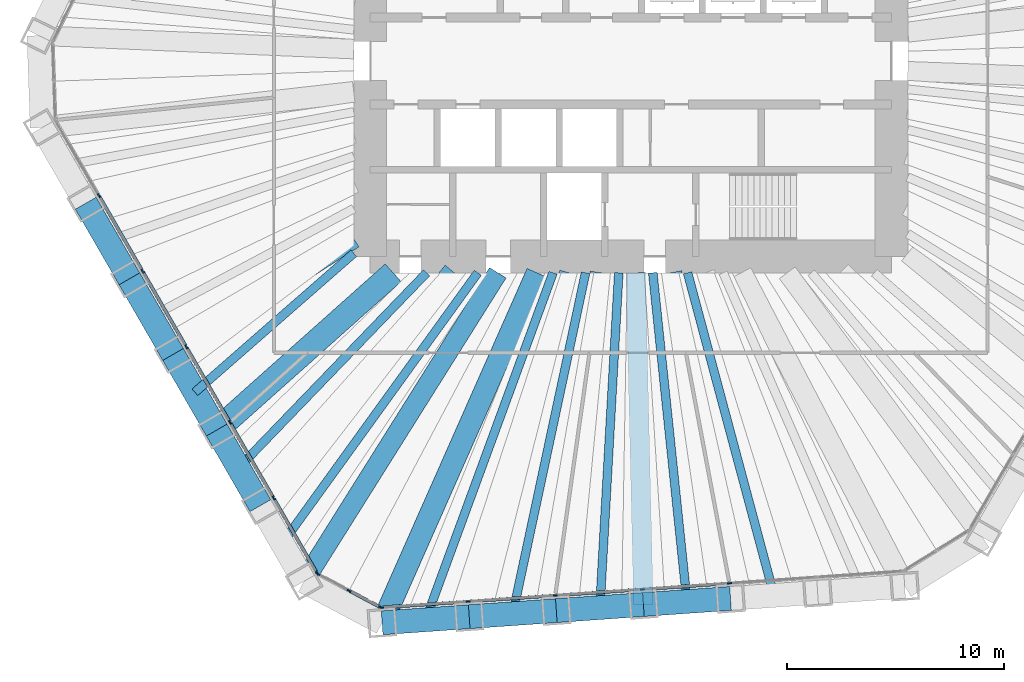
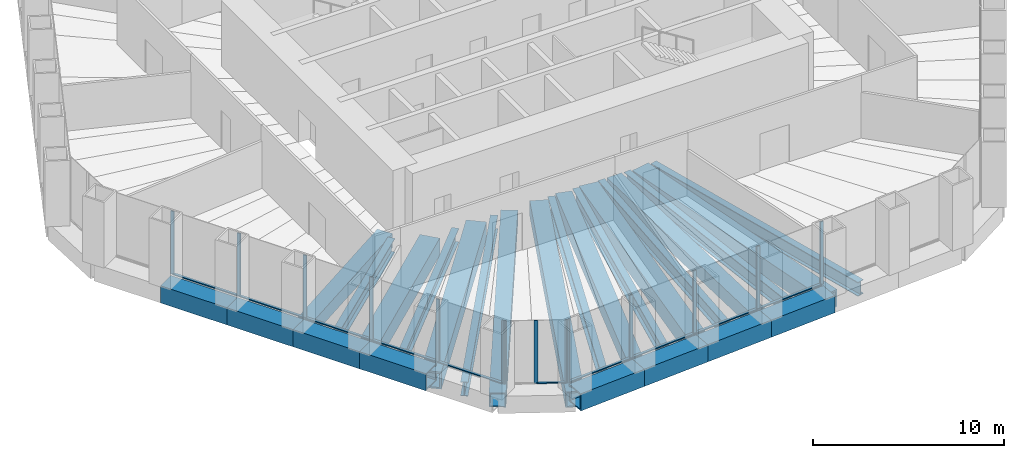
# One storey, part 2 of 20: 32 members, 17 beams, 3 elements without a shape of their own.
"""IFC4 building model written with IfcOpenShell, lengths in metres."""

from ifc_helpers import new_model, si_unit, direction, frame, origin, origin_2d, place, context, subcontext, project, spatial, rectangle, hollow_rectangle, i_section, extrude, material, material_profile, profile_set, type_object, element, aggregate, save


model = new_model("IFC4")

# Units and contexts
model_context = context("Model", 3, precision=1e-05, world=origin(), true_north=direction((0.0, 1.0)))
body_context = subcontext(model_context, "Body", "Model", "MODEL_VIEW")
ifc_project = project(units=[si_unit("LENGTHUNIT", "METRE"), si_unit("AREAUNIT", "SQUARE_METRE"), si_unit("VOLUMEUNIT", "CUBIC_METRE"), si_unit("PLANEANGLEUNIT", "RADIAN"), si_unit("MASSUNIT", "GRAM", prefix="KILO")], contexts=[model_context])

# Site, building, storey
site_placement = place(None, origin())
site = spatial("IfcSite", under=ifc_project, at=site_placement, CompositionType="ELEMENT")
building_placement = place(site_placement, origin())
building = spatial("IfcBuilding", under=site, at=building_placement, Name="Qingtian Harvest Tower", CompositionType="ELEMENT")
storey_placement = place(building_placement, frame((0.0, 0.0, 103.0)))
storey = spatial("IfcBuildingStorey", under=building, at=storey_placement, Name="L20", CompositionType="ELEMENT", Elevation=103.0)

# Members
ifc_material_1 = material(Name="Steel SM570MC", Category="steel")
ifc_material_profile_1 = material_profile(ifc_material_1, hollow_rectangle(XDim=1.10009765625, YDim=1.10009765625, WallThickness=0.080078125, at=origin_2d()), Name="BOX1100x1100x80")
ifc_profile_set_1 = profile_set([ifc_material_profile_1], Name="Steel SM570MC")
member_type_1 = type_object("IfcMemberType", Name="Belt truss chord BC1 BOX1100x1100x80", PredefinedType="CHORD", material=ifc_profile_set_1)
for number, where, z_axis, x_axis, name in (
    (1, (4.591552734375, -24.739990234375, -0.550048828125), (-0.997565479251, -0.069736035208, 0.0), (0.069736035208, -0.997565479251, 0.0), "Belt chord BC1 S2"),
    (2, (0.582275390625, -25.020263671875, -0.550048828125), (-0.997561251588, -0.069796485086, 0.0), (0.069796485086, -0.997561251588, 0.0), "Belt chord BC1 S3"),
    (3, (-3.427001953125, -25.30078125, -0.550048828125), (-0.997565479251, -0.069736035208, 0.0), (0.069736035208, -0.997565479251, 0.0), "Belt chord BC1 S4"),
    (4, (-7.436279296875, -25.5810546875, -0.550048828125), (-0.997565479251, -0.069736035208, 0.0), (0.069736035208, -0.997565479251, 0.0), "Belt chord BC1 S5"),
    (5, (-17.04931640625, -20.4697265625, -0.550048828125), (-0.499987116613, 0.866032841884, 0.0), (-0.866032841884, -0.499987116613, 0.0), "Belt chord BC1 SW1"),
    (6, (-19.058837890625, -16.989013671875, -0.550048828125), (-0.500013420409, 0.866017655369, 0.0), (-0.866017655369, -0.500013420409, 0.0), "Belt chord BC1 SW2"),
    (7, (-21.068359375, -13.508544921875, -0.550048828125), (-0.499987116613, 0.866032841884, 0.0), (-0.866032841884, -0.499987116613, 0.0), "Belt chord BC1 SW3"),
    (8, (-23.077880859375, -10.02783203125, -0.550048828125), (-0.499987116613, 0.866032841884, 0.0), (-0.866032841884, -0.499987116613, 0.0), "Belt chord BC1 SW4"),
):
    element("IfcMember", number, at=place(storey_placement, frame(where, z_axis=z_axis, x_axis=x_axis)), inside=storey, type_object=member_type_1, Name=name, PredefinedType="CHORD", context=body_context, shape_type="SweptSolid", body=[
        extrude(hollow_rectangle(XDim=1.10009765625, YDim=1.10009765625, WallThickness=0.080078125, at=origin_2d()), origin(), (0.0, 0.0, 1.0), 4.01904296875),
    ])

# Beams
ifc_material_2 = material(Name="Steel SN490B", Category="steel")
ifc_material_profile_2 = material_profile(ifc_material_2, i_section(OverallWidth=0.39990234375, OverallDepth=0.89990234375, WebThickness=0.01904296875, FlangeThickness=0.035888671875, at=origin_2d()), Name="H900x400x19x36")
ifc_profile_set_2 = profile_set([ifc_material_profile_2], Name="Steel SN490B")
beam_type_1 = type_object("IfcBeamType", Name="Floor joist J4 H900x400x19x36", PredefinedType="JOIST", material=ifc_profile_set_2)
beam_1_placement = place(storey_placement, frame((6.59619140625, -24.599853515625, -0.6201171875), z_axis=(-0.258996688759, 0.965878209306, 0.0), x_axis=(-0.965878209306, -0.258996688759, 0.0)))
element("IfcBeam", 9, at=beam_1_placement, inside=storey, type_object=beam_type_1, Name="Floor joist J4 S1", PredefinedType="JOIST", context=body_context, shape_type="SweptSolid", body=[
    extrude(i_section(OverallWidth=0.39990234375, OverallDepth=0.89990234375, WebThickness=0.01904296875, FlangeThickness=0.035888671875, at=origin_2d()), origin(), (0.0, 0.0, 1.0), 15.37451171875),
])
beam_2_placement = place(storey_placement, frame((2.5869140625, -24.880126953125, -0.6201171875), z_axis=(-0.103423163361, 0.994637446148, 0.0), x_axis=(-0.994637446148, -0.103423163361, 0.0)))
element("IfcBeam", 10, at=beam_2_placement, inside=storey, type_object=beam_type_1, Name="Floor joist J4 S2", PredefinedType="JOIST", context=body_context, shape_type="SweptSolid", body=[
    extrude(i_section(OverallWidth=0.39990234375, OverallDepth=0.89990234375, WebThickness=0.01904296875, FlangeThickness=0.035888671875, at=origin_2d()), origin(), (0.0, 0.0, 1.0), 15.211669921875),
])
beam_3_placement = place(storey_placement, frame((-1.42236328125, -25.160400390625, -0.6201171875), z_axis=(0.05643626267, 0.998406204035, 0.0), x_axis=(-0.998406204035, 0.05643626267, 0.0)))
element("IfcBeam", 11, at=beam_3_placement, inside=storey, type_object=beam_type_1, Name="Floor joist J4 S3", PredefinedType="JOIST", context=body_context, shape_type="SweptSolid", body=[
    extrude(i_section(OverallWidth=0.39990234375, OverallDepth=0.89990234375, WebThickness=0.01904296875, FlangeThickness=0.035888671875, at=origin_2d()), origin(), (0.0, 0.0, 1.0), 15.43505859375),
])
beam_4_placement = place(storey_placement, frame((-5.431640625, -25.44091796875, -0.6201171875), z_axis=(0.208799533611, 0.977958462699, 0.0), x_axis=(-0.977958462699, 0.208799533611, 0.0)))
element("IfcBeam", 12, at=beam_4_placement, inside=storey, type_object=beam_type_1, Name="Floor joist J4 S4", PredefinedType="JOIST", context=body_context, shape_type="SweptSolid", body=[
    extrude(i_section(OverallWidth=0.39990234375, OverallDepth=0.89990234375, WebThickness=0.01904296875, FlangeThickness=0.035888671875, at=origin_2d()), origin(), (0.0, 0.0, 1.0), 16.044677734375),
])
beam_5_placement = place(storey_placement, frame((-9.44091796875, -25.72119140625, -0.6201171875), z_axis=(0.344563279886, 0.938763093732, 0.0), x_axis=(-0.938763093732, 0.344563279886, 0.0)))
element("IfcBeam", 13, at=beam_5_placement, inside=storey, type_object=beam_type_1, Name="Floor joist J4 S5", PredefinedType="JOIST", context=body_context, shape_type="SweptSolid", body=[
    extrude(i_section(OverallWidth=0.39990234375, OverallDepth=0.89990234375, WebThickness=0.01904296875, FlangeThickness=0.035888671875, at=origin_2d()), origin(), (0.0, 0.0, 1.0), 17.012939453125),
])
beam_6_placement = place(storey_placement, frame((-16.04443359375, -22.2099609375, -0.6201171875), z_axis=(0.585581016658, 0.810613886465, 0.0), x_axis=(-0.810613886465, 0.585581016658, 0.0)))
element("IfcBeam", 14, at=beam_6_placement, inside=storey, type_object=beam_type_1, Name="Floor joist J4 SW0", PredefinedType="JOIST", context=body_context, shape_type="SweptSolid", body=[
    extrude(i_section(OverallWidth=0.39990234375, OverallDepth=0.89990234375, WebThickness=0.01904296875, FlangeThickness=0.035888671875, at=origin_2d()), origin(), (0.0, 0.0, 1.0), 15.37109375),
])
beam_7_placement = place(storey_placement, frame((-18.053955078125, -18.7294921875, -0.6201171875), z_axis=(0.693999346894, 0.719975629108, 0.0), x_axis=(-0.719975629108, 0.693999346894, 0.0)))
element("IfcBeam", 15, at=beam_7_placement, inside=storey, type_object=beam_type_1, Name="Floor joist J4 SW1", PredefinedType="JOIST", context=body_context, shape_type="SweptSolid", body=[
    extrude(i_section(OverallWidth=0.39990234375, OverallDepth=0.89990234375, WebThickness=0.01904296875, FlangeThickness=0.035888671875, at=origin_2d()), origin(), (0.0, 0.0, 1.0), 12.471923828125),
])
beam_8_placement = place(storey_placement, frame((-20.063720703125, -15.248779296875, -0.6201171875), z_axis=(0.752618713562, 0.658456583228, 0.0), x_axis=(-0.658456583228, 0.752618713562, 0.0)))
element("IfcBeam", 16, at=beam_8_placement, inside=storey, type_object=beam_type_1, Name="Floor joist J4 SW2", PredefinedType="JOIST", context=body_context, shape_type="SweptSolid", body=[
    extrude(i_section(OverallWidth=0.39990234375, OverallDepth=0.89990234375, WebThickness=0.01904296875, FlangeThickness=0.035888671875, at=origin_2d()), origin(), (0.0, 0.0, 1.0), 9.7177734375),
])

# Curtain wall, members
ifc_material_3 = material(Name="Bronze-anodised aluminium curtain wall", Category="aluminium")
curtain_wall_type = type_object("IfcCurtainWallType", Name="Curtain wall CW3 sky lobby", PredefinedType="USERDEFINED", material=ifc_material_3)
curtain_wall_1_placement = place(storey_placement, origin())
curtain_wall_1 = element("IfcCurtainWall", 17, at=curtain_wall_1_placement, inside=storey, type_object=curtain_wall_type, Name="Curtain wall CW3 L20 S0-5", ObjectType="RECESSED CURTAIN WALL", PredefinedType="USERDEFINED")
ifc_material_4 = material(Name="Bronze-anodised aluminium mullion", Category="aluminium")
ifc_material_profile_3 = material_profile(ifc_material_4, rectangle(XDim=0.06494140625, YDim=0.199951171875, at=origin_2d()), Name="AL 65x200")
ifc_profile_set_3 = profile_set([ifc_material_profile_3], Name="Bronze-anodised aluminium mullion")
member_type_2 = type_object("IfcMemberType", Name="Mullion CWM 65x200", PredefinedType="MULLION", material=ifc_profile_set_3)
member_1_placement = place(storey_placement, frame((4.542724609375, -24.041748046875, 0.0), z_axis=(0.0, 0.0, 1.0), x_axis=(0.069756473744, -0.99756405026, 0.0)))
member_1 = element("IfcMember", 18, at=member_1_placement, type_object=member_type_2, Name="CW3 mullion 3", PredefinedType="MULLION", context=body_context, shape_type="SweptSolid", body=[
    extrude(rectangle(XDim=0.06494140625, YDim=0.199951171875, at=origin_2d()), origin(), (0.0, 0.0, 1.0), 4.030029296875),
])
member_2_placement = place(storey_placement, frame((0.533447265625, -24.322021484375, 0.0), z_axis=(0.0, 0.0, 1.0), x_axis=(0.069756473744, -0.99756405026, 0.0)))
member_2 = element("IfcMember", 19, at=member_2_placement, type_object=member_type_2, Name="CW3 mullion 4", PredefinedType="MULLION", context=body_context, shape_type="SweptSolid", body=[
    extrude(rectangle(XDim=0.06494140625, YDim=0.199951171875, at=origin_2d()), origin(), (0.0, 0.0, 1.0), 4.030029296875),
])
member_3_placement = place(storey_placement, frame((-3.475830078125, -24.602294921875, 0.0), z_axis=(0.0, 0.0, 1.0), x_axis=(0.069756473744, -0.99756405026, 0.0)))
member_3 = element("IfcMember", 20, at=member_3_placement, type_object=member_type_2, Name="CW3 mullion 5", PredefinedType="MULLION", context=body_context, shape_type="SweptSolid", body=[
    extrude(rectangle(XDim=0.06494140625, YDim=0.199951171875, at=origin_2d()), origin(), (0.0, 0.0, 1.0), 4.030029296875),
])
member_4_placement = place(storey_placement, frame((-7.485107421875, -24.8828125, 0.0), z_axis=(0.0, 0.0, 1.0), x_axis=(0.069756473744, -0.99756405026, 0.0)))
member_4 = element("IfcMember", 21, at=member_4_placement, type_object=member_type_2, Name="CW3 mullion 6", PredefinedType="MULLION", context=body_context, shape_type="SweptSolid", body=[
    extrude(rectangle(XDim=0.06494140625, YDim=0.199951171875, at=origin_2d()), origin(), (0.0, 0.0, 1.0), 4.030029296875),
])
member_5_placement = place(storey_placement, frame((-11.4619140625, -25.160888671875, 0.0), z_axis=(0.0, 0.0, 1.0), x_axis=(0.069756473744, -0.99756405026, 0.0)))
member_5 = element("IfcMember", 22, at=member_5_placement, type_object=member_type_2, Name="CW3 mullion 7", PredefinedType="MULLION", context=body_context, shape_type="SweptSolid", body=[
    extrude(rectangle(XDim=0.06494140625, YDim=0.199951171875, at=origin_2d()), origin(), (0.0, 0.0, 1.0), 4.030029296875),
])

curtain_wall_2_placement = place(storey_placement, origin())
curtain_wall_2 = element("IfcCurtainWall", 23, at=curtain_wall_2_placement, inside=storey, type_object=curtain_wall_type, Name="Curtain wall CW3 L20 SC", ObjectType="RECESSED CURTAIN WALL", PredefinedType="USERDEFINED")
member_6_placement = place(storey_placement, frame((-11.523193359375, -25.14794921875, 0.0), z_axis=(0.0, 0.0, 1.0), x_axis=(-0.469471562786, -0.882947592859, 0.0)))
member_6 = element("IfcMember", 24, at=member_6_placement, type_object=member_type_2, Name="CW3 mullion 1", PredefinedType="MULLION", context=body_context, shape_type="SweptSolid", body=[
    extrude(rectangle(XDim=0.06494140625, YDim=0.199951171875, at=origin_2d()), origin(), (0.0, 0.0, 1.0), 4.030029296875),
])
member_7_placement = place(storey_placement, frame((-12.964111328125, -24.3818359375, 0.0), z_axis=(0.0, 0.0, 1.0), x_axis=(-0.469471562786, -0.882947592859, 0.0)))
member_7 = element("IfcMember", 25, at=member_7_placement, type_object=member_type_2, Name="CW3 mullion 2", PredefinedType="MULLION", context=body_context, shape_type="SweptSolid", body=[
    extrude(rectangle(XDim=0.06494140625, YDim=0.199951171875, at=origin_2d()), origin(), (0.0, 0.0, 1.0), 4.030029296875),
])
member_8_placement = place(storey_placement, frame((-14.40478515625, -23.61572265625, 0.0), z_axis=(0.0, 0.0, 1.0), x_axis=(-0.469471562786, -0.882947592859, 0.0)))
member_8 = element("IfcMember", 26, at=member_8_placement, type_object=member_type_2, Name="CW3 mullion 3", PredefinedType="MULLION", context=body_context, shape_type="SweptSolid", body=[
    extrude(rectangle(XDim=0.06494140625, YDim=0.199951171875, at=origin_2d()), origin(), (0.0, 0.0, 1.0), 4.030029296875),
])

curtain_wall_3_placement = place(storey_placement, origin())
curtain_wall_3 = element("IfcCurtainWall", 27, at=curtain_wall_3_placement, inside=storey, type_object=curtain_wall_type, Name="Curtain wall CW3 L20 SW0-5", ObjectType="RECESSED CURTAIN WALL", PredefinedType="USERDEFINED")
member_9_placement = place(storey_placement, frame((-14.44970703125, -23.572265625, 0.0), z_axis=(0.0, 0.0, 1.0), x_axis=(-0.866025403784, -0.5, 0.0)))
member_9 = element("IfcMember", 28, at=member_9_placement, type_object=member_type_2, Name="CW3 mullion 1", PredefinedType="MULLION", context=body_context, shape_type="SweptSolid", body=[
    extrude(rectangle(XDim=0.06494140625, YDim=0.199951171875, at=origin_2d()), origin(), (0.0, 0.0, 1.0), 4.030029296875),
])
member_10_placement = place(storey_placement, frame((-16.443115234375, -20.11962890625, 0.0), z_axis=(0.0, 0.0, 1.0), x_axis=(-0.866025403784, -0.5, 0.0)))
member_10 = element("IfcMember", 29, at=member_10_placement, type_object=member_type_2, Name="CW3 mullion 2", PredefinedType="MULLION", context=body_context, shape_type="SweptSolid", body=[
    extrude(rectangle(XDim=0.06494140625, YDim=0.199951171875, at=origin_2d()), origin(), (0.0, 0.0, 1.0), 4.030029296875),
])
member_11_placement = place(storey_placement, frame((-18.45263671875, -16.63916015625, 0.0), z_axis=(0.0, 0.0, 1.0), x_axis=(-0.866025403784, -0.5, 0.0)))
member_11 = element("IfcMember", 30, at=member_11_placement, type_object=member_type_2, Name="CW3 mullion 3", PredefinedType="MULLION", context=body_context, shape_type="SweptSolid", body=[
    extrude(rectangle(XDim=0.06494140625, YDim=0.199951171875, at=origin_2d()), origin(), (0.0, 0.0, 1.0), 4.030029296875),
])
member_12_placement = place(storey_placement, frame((-20.462158203125, -13.158447265625, 0.0), z_axis=(0.0, 0.0, 1.0), x_axis=(-0.866025403784, -0.5, 0.0)))
member_12 = element("IfcMember", 31, at=member_12_placement, type_object=member_type_2, Name="CW3 mullion 4", PredefinedType="MULLION", context=body_context, shape_type="SweptSolid", body=[
    extrude(rectangle(XDim=0.06494140625, YDim=0.199951171875, at=origin_2d()), origin(), (0.0, 0.0, 1.0), 4.030029296875),
])
member_13_placement = place(storey_placement, frame((-22.4716796875, -9.677978515625, 0.0), z_axis=(0.0, 0.0, 1.0), x_axis=(-0.866025403784, -0.5, 0.0)))
member_13 = element("IfcMember", 32, at=member_13_placement, type_object=member_type_2, Name="CW3 mullion 5", PredefinedType="MULLION", context=body_context, shape_type="SweptSolid", body=[
    extrude(rectangle(XDim=0.06494140625, YDim=0.199951171875, at=origin_2d()), origin(), (0.0, 0.0, 1.0), 4.030029296875),
])
member_14_placement = place(storey_placement, frame((-24.481201171875, -6.197265625, 0.0), z_axis=(0.0, 0.0, 1.0), x_axis=(-0.866025403784, -0.5, 0.0)))
member_14 = element("IfcMember", 33, at=member_14_placement, type_object=member_type_2, Name="CW3 mullion 6", PredefinedType="MULLION", context=body_context, shape_type="SweptSolid", body=[
    extrude(rectangle(XDim=0.06494140625, YDim=0.199951171875, at=origin_2d()), origin(), (0.0, 0.0, 1.0), 4.030029296875),
])

# Beams
ifc_material_5 = material(Name="Steel SM570MC", Category="steel")
ifc_material_profile_4 = material_profile(ifc_material_5, hollow_rectangle(XDim=0.89990234375, YDim=0.89990234375, WallThickness=0.06005859375, at=origin_2d()), Name="BOX900x900x60")
ifc_profile_set_4 = profile_set([ifc_material_profile_4], Name="Steel SM570MC")
beam_type_2 = type_object("IfcBeamType", Name="Outrigger chord beam OC1 BOX900x900x60", PredefinedType="BEAM", material=ifc_profile_set_4)
beam_9_placement = place(storey_placement, frame((0.582275390625, -25.020263671875, -0.6201171875), z_axis=(-0.023272189962, 0.999729165912, 0.0), x_axis=(-0.999729165912, -0.023272189962, 0.0)))
element("IfcBeam", 34, at=beam_9_placement, inside=storey, type_object=beam_type_2, Name="Floor beam OC1 S3", PredefinedType="BEAM", context=body_context, shape_type="SweptSolid", body=[
    extrude(hollow_rectangle(XDim=0.89990234375, YDim=0.89990234375, WallThickness=0.06005859375, at=origin_2d()), origin(), (0.0, 0.0, 1.0), 15.2744140625),
])
beam_10_placement = place(storey_placement, frame((-7.436279296875, -25.5810546875, -0.6201171875), z_axis=(0.279142362954, 0.960249728562, 0.0), x_axis=(-0.960249728562, 0.279142362954, 0.0)))
element("IfcBeam", 35, at=beam_10_placement, inside=storey, type_object=beam_type_2, Name="Floor beam OC1 S5", PredefinedType="BEAM", context=body_context, shape_type="SweptSolid", body=[
    extrude(hollow_rectangle(XDim=0.89990234375, YDim=0.89990234375, WallThickness=0.06005859375, at=origin_2d()), origin(), (0.0, 0.0, 1.0), 16.486328125),
])
beam_11_placement = place(storey_placement, frame((-15.039794921875, -23.950439453125, -0.6201171875), z_axis=(0.531797274443, 0.846871689747, 0.0), x_axis=(-0.846871689747, 0.531797274443, 0.0)))
element("IfcBeam", 36, at=beam_11_placement, inside=storey, type_object=beam_type_2, Name="Floor beam OC1 SW0", PredefinedType="BEAM", context=body_context, shape_type="SweptSolid", body=[
    extrude(hollow_rectangle(XDim=0.89990234375, YDim=0.89990234375, WallThickness=0.06005859375, at=origin_2d()), origin(), (0.0, 0.0, 1.0), 16.76806640625),
])
beam_12_placement = place(storey_placement, frame((-21.068359375, -13.508544921875, -0.6201171875), z_axis=(0.841823295753, 0.539753220211, 0.0), x_axis=(-0.539753220211, 0.841823295753, 0.0)))
element("IfcBeam", 37, at=beam_12_placement, inside=storey, type_object=beam_type_2, Name="Floor beam OC1 SW3", PredefinedType="BEAM", context=body_context, shape_type="SweptSolid", body=[
    extrude(hollow_rectangle(XDim=0.89990234375, YDim=0.89990234375, WallThickness=0.06005859375, at=origin_2d()), origin(), (0.0, 0.0, 1.0), 9.88134765625),
])
ifc_material_6 = material(Name="Steel SM570MC", Category="steel")
ifc_material_profile_5 = material_profile(ifc_material_6, hollow_rectangle(XDim=1.0, YDim=1.0, WallThickness=0.080078125, at=origin_2d()), Name="BOX1000x1000x80")
ifc_profile_set_5 = profile_set([ifc_material_profile_5], Name="Steel SM570MC")
beam_type_3 = type_object("IfcBeamType", Name="Transfer corner beam FB11 BOX1000x1000x80", PredefinedType="BEAM", material=ifc_profile_set_5)
beam_13_placement = place(storey_placement, frame((-11.445556640625, -25.861328125, -0.669921875), z_axis=(0.404705702755, 0.914446988161, 0.0), x_axis=(-0.914446988161, 0.404705702755, 0.0)))
element("IfcBeam", 38, at=beam_13_placement, inside=storey, type_object=beam_type_3, Name="Floor beam FB11 S6", PredefinedType="BEAM", context=body_context, shape_type="SweptSolid", body=[
    extrude(hollow_rectangle(XDim=1.0, YDim=1.0, WallThickness=0.080078125, at=origin_2d()), origin(), (0.0, 0.0, 1.0), 17.61865234375),
])
ifc_material_7 = material(Name="Steel SM570MC", Category="steel")
ifc_material_profile_6 = material_profile(ifc_material_7, hollow_rectangle(XDim=1.10009765625, YDim=1.10009765625, WallThickness=0.10009765625, at=origin_2d()), Name="BOX1100x1100x100")
ifc_profile_set_6 = profile_set([ifc_material_profile_6], Name="Steel SM570MC")
beam_type_4 = type_object("IfcBeamType", Name="Transfer floor beam FB9 BOX1100x1100x100", PredefinedType="BEAM", material=ifc_profile_set_6)
beam_14_placement = place(storey_placement, frame((4.591552734375, -24.739990234375, -0.719970703125), z_axis=(-0.182473442032, 0.983210782565, 0.0), x_axis=(-0.983210782565, -0.182473442032, 0.0)))
element("IfcBeam", 39, at=beam_14_placement, inside=storey, type_object=beam_type_4, Name="Floor beam FB9 S2", PredefinedType="BEAM", context=body_context, shape_type="SweptSolid", body=[
    extrude(hollow_rectangle(XDim=1.10009765625, YDim=1.10009765625, WallThickness=0.10009765625, at=origin_2d()), origin(), (0.0, 0.0, 1.0), 15.245849609375),
])
beam_15_placement = place(storey_placement, frame((-3.427001953125, -25.30078125, -0.719970703125), z_axis=(0.134230066005, 0.990950195207, 0.0), x_axis=(-0.990950195207, 0.134230066005, 0.0)))
element("IfcBeam", 40, at=beam_15_placement, inside=storey, type_object=beam_type_4, Name="Floor beam FB9 S4", PredefinedType="BEAM", context=body_context, shape_type="SweptSolid", body=[
    extrude(hollow_rectangle(XDim=1.10009765625, YDim=1.10009765625, WallThickness=0.10009765625, at=origin_2d()), origin(), (0.0, 0.0, 1.0), 15.69287109375),
])
beam_16_placement = place(storey_placement, frame((-17.04931640625, -20.4697265625, -0.719970703125), z_axis=(0.639988150605, 0.768384778015, 0.0), x_axis=(-0.768384778015, 0.639988150605, 0.0)))
element("IfcBeam", 41, at=beam_16_placement, inside=storey, type_object=beam_type_4, Name="Floor beam FB9 SW1", PredefinedType="BEAM", context=body_context, shape_type="SweptSolid", body=[
    extrude(hollow_rectangle(XDim=1.10009765625, YDim=1.10009765625, WallThickness=0.10009765625, at=origin_2d()), origin(), (0.0, 0.0, 1.0), 13.950927734375),
])
beam_17_placement = place(storey_placement, frame((-19.058837890625, -16.989013671875, -0.719970703125), z_axis=(0.746483707908, 0.665403692376, 0.0), x_axis=(-0.665403692376, 0.746483707908, 0.0)))
element("IfcBeam", 42, at=beam_17_placement, inside=storey, type_object=beam_type_4, Name="Floor beam FB9 SW2", PredefinedType="BEAM", context=body_context, shape_type="SweptSolid", body=[
    extrude(hollow_rectangle(XDim=1.10009765625, YDim=1.10009765625, WallThickness=0.10009765625, at=origin_2d()), origin(), (0.0, 0.0, 1.0), 10.879150390625),
])

# Member
ifc_material_8 = material(Name="Bronze-anodised aluminium transom", Category="aluminium")
ifc_material_profile_7 = material_profile(ifc_material_8, rectangle(XDim=0.14990234375, YDim=0.06494140625, at=origin_2d()), Name="AL 65x150")
ifc_profile_set_7 = profile_set([ifc_material_profile_7], Name="Bronze-anodised aluminium transom")
member_type_3 = type_object("IfcMemberType", Name="Transom CWT 65x150", PredefinedType="USERDEFINED", material=ifc_profile_set_7)
member_15_placement = place(storey_placement, frame((4.51025390625, -24.0439453125, 0.032470703125), z_axis=(-0.997562922571, -0.069772598571, 0.0), x_axis=(0.069772598571, -0.997562922571, 0.0)))
member_15 = element("IfcMember", 43, at=member_15_placement, type_object=member_type_3, Name="CW3 transom 3.1", ObjectType="TRANSOM", PredefinedType="USERDEFINED", context=body_context, shape_type="SweptSolid", body=[
    extrude(rectangle(XDim=0.14990234375, YDim=0.06494140625, at=origin_2d()), origin(), (0.0, 0.0, 1.0), 3.953857421875),
])

member_16_placement = place(storey_placement, frame((0.5009765625, -24.32421875, 0.032470703125), z_axis=(-0.997562922571, -0.069772598571, 0.0), x_axis=(0.069772598571, -0.997562922571, 0.0)))
member_16 = element("IfcMember", 44, at=member_16_placement, type_object=member_type_3, Name="CW3 transom 4.1", ObjectType="TRANSOM", PredefinedType="USERDEFINED", context=body_context, shape_type="SweptSolid", body=[
    extrude(rectangle(XDim=0.14990234375, YDim=0.06494140625, at=origin_2d()), origin(), (0.0, 0.0, 1.0), 3.953857421875),
])

member_17_placement = place(storey_placement, frame((-3.50830078125, -24.604736328125, 0.032470703125), z_axis=(-0.997567218353, -0.069711153102, 0.0), x_axis=(0.069711153102, -0.997567218353, 0.0)))
member_17 = element("IfcMember", 45, at=member_17_placement, type_object=member_type_3, Name="CW3 transom 5.1", ObjectType="TRANSOM", PredefinedType="USERDEFINED", context=body_context, shape_type="SweptSolid", body=[
    extrude(rectangle(XDim=0.14990234375, YDim=0.06494140625, at=origin_2d()), origin(), (0.0, 0.0, 1.0), 3.953857421875),
])

member_18_placement = place(storey_placement, frame((-7.517578125, -24.885009765625, 0.032470703125), z_axis=(-0.997561915105, -0.069787001175, 0.0), x_axis=(0.069787001175, -0.997561915105, 0.0)))
member_18 = element("IfcMember", 46, at=member_18_placement, type_object=member_type_3, Name="CW3 transom 6.1", ObjectType="TRANSOM", PredefinedType="USERDEFINED", context=body_context, shape_type="SweptSolid", body=[
    extrude(rectangle(XDim=0.14990234375, YDim=0.06494140625, at=origin_2d()), origin(), (0.0, 0.0, 1.0), 3.921630859375),
])

aggregate(curtain_wall_1, [member_1, member_2, member_3, member_4, member_5, member_15, member_16, member_17, member_18])

member_19_placement = place(storey_placement, frame((-11.5517578125, -25.132568359375, 0.032470703125), z_axis=(-0.882960338349, 0.46944759122, 0.0), x_axis=(-0.46944759122, -0.882960338349, 0.0)))
member_19 = element("IfcMember", 47, at=member_19_placement, type_object=member_type_3, Name="CW3 transom 1.1", ObjectType="TRANSOM", PredefinedType="USERDEFINED", context=body_context, shape_type="SweptSolid", body=[
    extrude(rectangle(XDim=0.14990234375, YDim=0.06494140625, at=origin_2d()), origin(), (0.0, 0.0, 1.0), 1.56689453125),
])

aggregate(curtain_wall_2, [member_6, member_7, member_8, member_19])

member_20_placement = place(storey_placement, frame((-14.466064453125, -23.5439453125, 0.032470703125), z_axis=(-0.500002696854, 0.866023846749, 0.0), x_axis=(-0.866023846749, -0.500002696854, 0.0)))
member_20 = element("IfcMember", 48, at=member_20_placement, type_object=member_type_3, Name="CW3 transom 1.1", ObjectType="TRANSOM", PredefinedType="USERDEFINED", context=body_context, shape_type="SweptSolid", body=[
    extrude(rectangle(XDim=0.14990234375, YDim=0.06494140625, at=origin_2d()), origin(), (0.0, 0.0, 1.0), 3.92138671875),
])

member_21_placement = place(storey_placement, frame((-16.459228515625, -20.091552734375, 0.032470703125), z_axis=(-0.500003941941, 0.866023127892, 0.0), x_axis=(-0.866023127892, -0.500003941941, 0.0)))
member_21 = element("IfcMember", 49, at=member_21_placement, type_object=member_type_3, Name="CW3 transom 2.1", ObjectType="TRANSOM", PredefinedType="USERDEFINED", context=body_context, shape_type="SweptSolid", body=[
    extrude(rectangle(XDim=0.14990234375, YDim=0.06494140625, at=origin_2d()), origin(), (0.0, 0.0, 1.0), 3.9541015625),
])

member_22_placement = place(storey_placement, frame((-18.468994140625, -16.611083984375, 0.032470703125), z_axis=(-0.49993089783, 0.866065296265, 0.0), x_axis=(-0.866065296265, -0.49993089783, 0.0)))
member_22 = element("IfcMember", 50, at=member_22_placement, type_object=member_type_3, Name="CW3 transom 3.1", ObjectType="TRANSOM", PredefinedType="USERDEFINED", context=body_context, shape_type="SweptSolid", body=[
    extrude(rectangle(XDim=0.14990234375, YDim=0.06494140625, at=origin_2d()), origin(), (0.0, 0.0, 1.0), 3.9541015625),
])

member_23_placement = place(storey_placement, frame((-20.478515625, -13.13037109375, 0.032470703125), z_axis=(-0.500003941941, 0.866023127892, 0.0), x_axis=(-0.866023127892, -0.500003941941, 0.0)))
member_23 = element("IfcMember", 51, at=member_23_placement, type_object=member_type_3, Name="CW3 transom 4.1", ObjectType="TRANSOM", PredefinedType="USERDEFINED", context=body_context, shape_type="SweptSolid", body=[
    extrude(rectangle(XDim=0.14990234375, YDim=0.06494140625, at=origin_2d()), origin(), (0.0, 0.0, 1.0), 3.9541015625),
])

member_24_placement = place(storey_placement, frame((-22.488037109375, -9.649658203125, 0.032470703125), z_axis=(-0.500003941941, 0.866023127892, 0.0), x_axis=(-0.866023127892, -0.500003941941, 0.0)))
member_24 = element("IfcMember", 52, at=member_24_placement, type_object=member_type_3, Name="CW3 transom 5.1", ObjectType="TRANSOM", PredefinedType="USERDEFINED", context=body_context, shape_type="SweptSolid", body=[
    extrude(rectangle(XDim=0.14990234375, YDim=0.06494140625, at=origin_2d()), origin(), (0.0, 0.0, 1.0), 3.9541015625),
])

aggregate(curtain_wall_3, [member_9, member_10, member_11, member_12, member_13, member_14, member_20, member_21, member_22, member_23, member_24])

save(model, "model.ifc")
